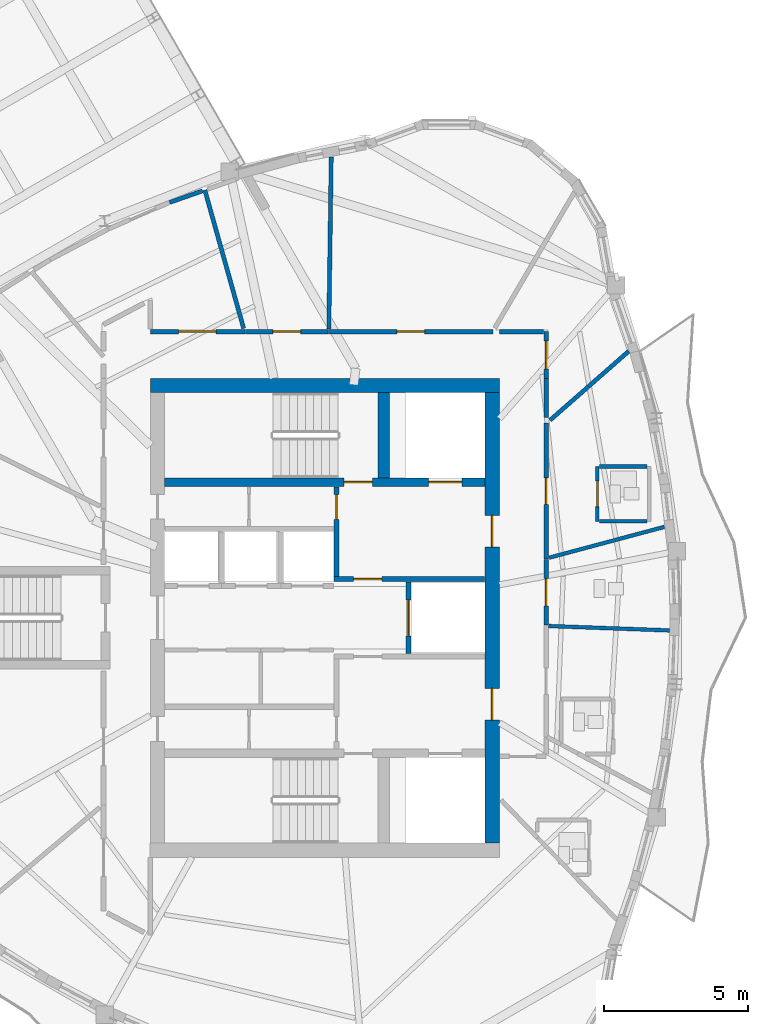
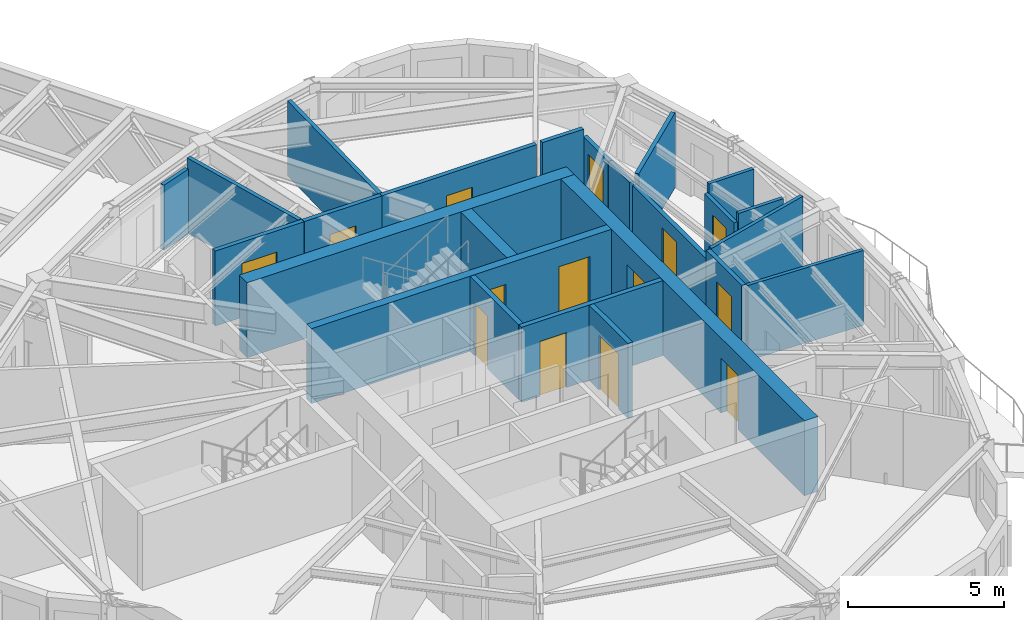
# One storey, part 8 of 14: 24 walls, 14 doors, 14 openings.
"""IFC4 building model written with IfcOpenShell, lengths in metres."""

from ifc_helpers import new_model, si_unit, direction, frame, frame_2d, origin, place, context, subcontext, project, spatial, rectangle, extrude, source, transform, mapped, material, layer, layer_set, type_object, element, fill, save


model = new_model("IFC4")

# Units and contexts
model_context = context("Model", 3, precision=1e-05, world=origin(), true_north=direction((0.0, 1.0)))
body_context = subcontext(model_context, "Body", "Model", "MODEL_VIEW")
ifc_project = project(units=[si_unit("LENGTHUNIT", "METRE"), si_unit("AREAUNIT", "SQUARE_METRE"), si_unit("VOLUMEUNIT", "CUBIC_METRE"), si_unit("PLANEANGLEUNIT", "RADIAN"), si_unit("MASSUNIT", "GRAM", prefix="KILO")], contexts=[model_context])

# Site, building, storey
site_placement = place(None, origin())
site = spatial("IfcSite", under=ifc_project, at=site_placement, CompositionType="ELEMENT")
building_placement = place(site_placement, origin())
building = spatial("IfcBuilding", under=site, at=building_placement, Name="Qafzar Sky-Pleat Residences", CompositionType="ELEMENT")
storey_placement = place(building_placement, frame((0.0, 0.0, 208.39990234375)))
storey = spatial("IfcBuildingStorey", under=building, at=storey_placement, Name="L62", CompositionType="ELEMENT", Elevation=208.39990234375)

# Wall, opening, door
ifc_material_1 = material(Name="Acoustic gypsum plasterboard partition", Category="gypsum")
ifc_layer_1 = layer(ifc_material_1, 0.159912109375)
ifc_layer_set_1 = layer_set([ifc_layer_1], Name="Acoustic gypsum plasterboard partition")
wall_type_1 = type_object("IfcWallType", Name="PART-COR-160", PredefinedType="PARTITIONING", material=ifc_layer_set_1)
wall_1_placement = place(storey_placement, frame((30.47412109375, 35.919921875, 0.0), z_axis=(0.0, 0.0, 1.0), x_axis=(1.0, 0.0, 0.0)))
wall_1 = element("IfcWall", 1, at=wall_1_placement, inside=storey, type_object=wall_type_1, Name="L62 Partition Wall PART-L62-PW-002", PredefinedType="PARTITIONING", context=body_context, shape_type="SweptSolid", body=[
    extrude(rectangle(XDim=5.712890625, YDim=0.159912109375, at=frame_2d((2.8564453125, 0.0))), origin(), (0.0, 0.0, 1.0), 2.93505859375),
])
opening_1_placement = place(wall_1_placement, frame((2.375, 0.0, 0.0)))
opening_1 = element("IfcOpeningElement", 2, at=opening_1_placement, cuts=wall_1, Name="Opening ID-06", PredefinedType="OPENING", context=body_context, shape_type="SweptSolid", body=[
    extrude(rectangle(XDim=0.9599609375, YDim=2.10009765625, at=frame_2d((0.47998046875, 1.050048828125))), frame((0.0, 0.08984375, 0.0), z_axis=(0.0, -1.0, 0.0), x_axis=(1.0, 0.0, 0.0)), (0.0, 0.0, 1.0), 0.179931640625),
])
ifc_material_2 = material(Name="Timber-faced fire door", Category="wood")
door_type_1 = type_object("IfcDoorType", Name="DR-STD-960", OperationType="NOTDEFINED", PredefinedType="DOOR", material=ifc_material_2)
shared_shape_1 = source(origin(), body_context, "Body", "SweptSolid", [
    extrude(rectangle(XDim=0.9599609375, YDim=2.10009765625, at=frame_2d((0.47998046875, 1.050048828125))), frame((0.0, 0.02490234375, 0.0), z_axis=(0.0, -1.0, 0.0), x_axis=(1.0, 0.0, 0.0)), (0.0, 0.0, 1.0), 0.050048828125),
])
door_1_placement = place(opening_1_placement, origin())
door_1 = element("IfcDoor", 3, at=door_1_placement, inside=storey, type_object=door_type_1, Name="L62 Wellness Yoga Studio Door", OperationType="SINGLE_SWING_LEFT", OverallHeight=2.10009765625, OverallWidth=0.9599609375, PredefinedType="DOOR", context=body_context, shape_type="MappedRepresentation", body=[
    mapped(shared_shape_1, transform((0.0, 0.0, 0.0), x_axis=(1.0, 0.0, 0.0), y_axis=(0.0, 1.0, 0.0), z_axis=(0.0, 0.0, 1.0), scale=1.0)),
])
fill(opening_1, door_1)

wall_2_placement = place(storey_placement, frame((38.02001953125, 32.748046875, 0.0), z_axis=(0.0, 0.0, 1.0), x_axis=(0.0, -1.0, 0.0)))
wall_2 = element("IfcWall", 4, at=wall_2_placement, inside=storey, type_object=wall_type_1, Name="L62 Partition Wall PART-L62-PW-003", PredefinedType="PARTITIONING", context=body_context, shape_type="SweptSolid", body=[
    extrude(rectangle(XDim=4.7099609375, YDim=0.159912109375, at=frame_2d((2.35498046875, 0.0))), origin(), (0.0, 0.0, 1.0), 2.60302734375),
])
opening_2_placement = place(wall_2_placement, frame((1.89697265625, 0.0, 0.0)))
opening_2 = element("IfcOpeningElement", 5, at=opening_2_placement, cuts=wall_2, Name="Opening ID-04", PredefinedType="OPENING", context=body_context, shape_type="SweptSolid", body=[
    extrude(rectangle(XDim=0.919921875, YDim=2.10009765625, at=frame_2d((0.4599609375, 1.050048828125))), frame((0.0, 0.08984375, 0.0), z_axis=(0.0, -1.0, 0.0), x_axis=(1.0, 0.0, 0.0)), (0.0, 0.0, 1.0), 0.179931640625),
])
door_type_2 = type_object("IfcDoorType", Name="DR-BED-920", OperationType="NOTDEFINED", PredefinedType="DOOR", material=ifc_material_2)
shared_shape_2 = source(origin(), body_context, "Body", "SweptSolid", [
    extrude(rectangle(XDim=0.919921875, YDim=2.10009765625, at=frame_2d((0.4599609375, 1.050048828125))), frame((0.0, 0.02490234375, 0.0), z_axis=(0.0, -1.0, 0.0), x_axis=(1.0, 0.0, 0.0)), (0.0, 0.0, 1.0), 0.050048828125),
])
door_2_placement = place(opening_2_placement, origin())
door_2 = element("IfcDoor", 6, at=door_2_placement, inside=storey, type_object=door_type_2, Name="L62 Co-Living Bedroom 3 Door", OperationType="SINGLE_SWING_RIGHT", OverallHeight=2.10009765625, OverallWidth=0.919921875, PredefinedType="DOOR", context=body_context, shape_type="MappedRepresentation", body=[
    mapped(shared_shape_2, transform((0.0, 0.0, 0.0), x_axis=(1.0, 0.0, 0.0), y_axis=(0.0, 1.0, 0.0), z_axis=(0.0, 0.0, 1.0), scale=1.0)),
])
fill(opening_2, door_2)

wall_3_placement = place(storey_placement, frame((24.300048828125, 35.919921875, 0.0), z_axis=(0.0, 0.0, 1.0), x_axis=(1.0, 0.0, 0.0)))
wall_3 = element("IfcWall", 7, at=wall_3_placement, inside=storey, type_object=wall_type_1, Name="L62 Partition Wall PART-L62-PW-008", PredefinedType="PARTITIONING", context=body_context, shape_type="SweptSolid", body=[
    extrude(rectangle(XDim=3.282958984375, YDim=0.159912109375, at=frame_2d((1.6416015625, 0.0))), origin(), (0.0, 0.0, 1.0), 2.93505859375),
])
opening_3_placement = place(wall_3_placement, frame((0.98388671875, 0.0, 0.0)))
opening_3 = element("IfcOpeningElement", 8, at=opening_3_placement, cuts=wall_3, Name="Opening ID-05", PredefinedType="OPENING", context=body_context, shape_type="SweptSolid", body=[
    extrude(rectangle(XDim=1.300048828125, YDim=2.10009765625, at=frame_2d((0.64990234375, 1.050048828125))), frame((0.0, 0.08984375, 0.0), z_axis=(0.0, -1.0, 0.0), x_axis=(1.0, 0.0, 0.0)), (0.0, 0.0, 1.0), 0.179931640625),
])
door_type_3 = type_object("IfcDoorType", Name="DR-LNG-1300", OperationType="DOUBLE_DOOR_SINGLE_SWING", PredefinedType="DOOR", material=ifc_material_2)
shared_shape_3 = source(origin(), body_context, "Body", "SweptSolid", [
    extrude(rectangle(XDim=1.300048828125, YDim=2.10009765625, at=frame_2d((0.64990234375, 1.050048828125))), frame((0.0, 0.02490234375, 0.0), z_axis=(0.0, -1.0, 0.0), x_axis=(1.0, 0.0, 0.0)), (0.0, 0.0, 1.0), 0.050048828125),
])
door_3_placement = place(opening_3_placement, origin())
door_3 = element("IfcDoor", 9, at=door_3_placement, inside=storey, type_object=door_type_3, Name="L62 Co-Living Lounge Door", OperationType="DOUBLE_DOOR_SINGLE_SWING", OverallHeight=2.10009765625, OverallWidth=1.300048828125, PredefinedType="DOOR", context=body_context, shape_type="MappedRepresentation", body=[
    mapped(shared_shape_3, transform((0.0, 0.0, 0.0), x_axis=(1.0, 0.0, 0.0), y_axis=(0.0, 1.0, 0.0), z_axis=(0.0, 0.0, 1.0), scale=1.0)),
])
fill(opening_3, door_3)

wall_4_placement = place(storey_placement, frame((27.597900390625, 35.919921875, 0.0), z_axis=(0.0, 0.0, 1.0), x_axis=(1.0, 0.0, 0.0)))
wall_4 = element("IfcWall", 10, at=wall_4_placement, inside=storey, type_object=wall_type_1, Name="L62 Partition Wall PART-L62-PW-009", PredefinedType="PARTITIONING", context=body_context, shape_type="SweptSolid", body=[
    extrude(rectangle(XDim=2.861083984375, YDim=0.159912109375, at=frame_2d((1.4306640625, 0.0))), origin(), (0.0, 0.0, 1.0), 2.93505859375),
])
opening_4_placement = place(wall_4_placement, frame((0.949951171875, 0.0, 0.0)))
opening_4 = element("IfcOpeningElement", 11, at=opening_4_placement, cuts=wall_4, Name="Opening ID-06", PredefinedType="OPENING", context=body_context, shape_type="SweptSolid", body=[
    extrude(rectangle(XDim=0.9599609375, YDim=2.10009765625, at=frame_2d((0.47998046875, 1.050048828125))), frame((0.0, 0.08984375, 0.0), z_axis=(0.0, -1.0, 0.0), x_axis=(1.0, 0.0, 0.0)), (0.0, 0.0, 1.0), 0.179931640625),
])
door_4_placement = place(opening_4_placement, origin())
door_4 = element("IfcDoor", 12, at=door_4_placement, inside=storey, type_object=door_type_1, Name="L62 Quiet Prayer Room Door", OperationType="SINGLE_SWING_LEFT", OverallHeight=2.10009765625, OverallWidth=0.9599609375, PredefinedType="DOOR", context=body_context, shape_type="MappedRepresentation", body=[
    mapped(shared_shape_1, transform((0.0, 0.0, 0.0), x_axis=(1.0, 0.0, 0.0), y_axis=(0.0, 1.0, 0.0), z_axis=(0.0, 0.0, 1.0), scale=1.0)),
])
fill(opening_4, door_4)

wall_5_placement = place(storey_placement, frame((38.02001953125, 28.02294921875, 0.0), z_axis=(0.0, 0.0, 1.0), x_axis=(0.0, -1.0, 0.0)))
wall_5 = element("IfcWall", 13, at=wall_5_placement, inside=storey, type_object=wall_type_1, Name="L62 Partition Wall PART-L62-PW-011", PredefinedType="PARTITIONING", context=body_context, shape_type="SweptSolid", body=[
    extrude(rectangle(XDim=2.27490234375, YDim=0.159912109375, at=frame_2d((1.137451171875, 0.0))), origin(), (0.0, 0.0, 1.0), 2.93505859375),
])
opening_5_placement = place(wall_5_placement, frame((0.662109375, 0.0, 0.0)))
opening_5 = element("IfcOpeningElement", 14, at=opening_5_placement, cuts=wall_5, Name="Opening ID-08", PredefinedType="OPENING", context=body_context, shape_type="SweptSolid", body=[
    extrude(rectangle(XDim=0.949951171875, YDim=2.10009765625, at=frame_2d((0.47509765625, 1.050048828125))), frame((0.0, 0.08984375, 0.0), z_axis=(0.0, -1.0, 0.0), x_axis=(1.0, 0.0, 0.0)), (0.0, 0.0, 1.0), 0.179931640625),
])
door_type_4 = type_object("IfcDoorType", Name="DR-AWC-950", OperationType="NOTDEFINED", PredefinedType="DOOR", material=ifc_material_2)
shared_shape_4 = source(origin(), body_context, "Body", "SweptSolid", [
    extrude(rectangle(XDim=0.949951171875, YDim=2.10009765625, at=frame_2d((0.47509765625, 1.050048828125))), frame((0.0, 0.02490234375, 0.0), z_axis=(0.0, -1.0, 0.0), x_axis=(1.0, 0.0, 0.0)), (0.0, 0.0, 1.0), 0.050048828125),
])
door_5_placement = place(opening_5_placement, origin())
door_5 = element("IfcDoor", 15, at=door_5_placement, inside=storey, type_object=door_type_4, Name="L62 Accessible Shared Washroom Door", OperationType="SINGLE_SWING_LEFT", OverallHeight=2.10009765625, OverallWidth=0.949951171875, PredefinedType="DOOR", context=body_context, shape_type="MappedRepresentation", body=[
    mapped(shared_shape_4, transform((0.0, 0.0, 0.0), x_axis=(1.0, 0.0, 0.0), y_axis=(0.0, 1.0, 0.0), z_axis=(0.0, 0.0, 1.0), scale=1.0)),
])
fill(opening_5, door_5)

wall_6_placement = place(storey_placement, frame((38.02001953125, 35.919921875, 0.0), z_axis=(0.0, 0.0, 1.0), x_axis=(0.0, -1.0, 0.0)))
wall_6 = element("IfcWall", 16, at=wall_6_placement, inside=storey, type_object=wall_type_1, Name="L62 Partition Wall PART-L62-PW-017", PredefinedType="PARTITIONING", context=body_context, shape_type="SweptSolid", body=[
    extrude(rectangle(XDim=1.619873046875, YDim=0.159912109375, at=frame_2d((0.81005859375, 0.0))), origin(), (0.0, 0.0, 1.0), 2.60302734375),
])
opening_6_placement = place(wall_6_placement, frame((0.330078125, 0.0, 0.0)))
opening_6 = element("IfcOpeningElement", 17, at=opening_6_placement, cuts=wall_6, Name="Opening ID-06", PredefinedType="OPENING", context=body_context, shape_type="SweptSolid", body=[
    extrude(rectangle(XDim=0.9599609375, YDim=2.10009765625, at=frame_2d((0.47998046875, 1.050048828125))), frame((0.0, 0.08984375, 0.0), z_axis=(0.0, -1.0, 0.0), x_axis=(1.0, 0.0, 0.0)), (0.0, 0.0, 1.0), 0.179931640625),
])
door_6_placement = place(opening_6_placement, origin())
door_6 = element("IfcDoor", 18, at=door_6_placement, inside=storey, type_object=door_type_1, Name="L62 Communal Kitchen Door", OperationType="SINGLE_SWING_LEFT", OverallHeight=2.10009765625, OverallWidth=0.9599609375, PredefinedType="DOOR", context=body_context, shape_type="MappedRepresentation", body=[
    mapped(shared_shape_1, transform((0.0, 0.0, 0.0), x_axis=(1.0, 0.0, 0.0), y_axis=(0.0, 1.0, 0.0), z_axis=(0.0, 0.0, 1.0), scale=1.0)),
])
fill(opening_6, door_6)

# Walls
wall_7_placement = place(storey_placement, frame((36.39990234375, 35.919921875, 0.0), z_axis=(0.0, 0.0, 1.0), x_axis=(1.0, 0.0, 0.0)))
element("IfcWall", 19, at=wall_7_placement, inside=storey, type_object=wall_type_1, Name="L62 Partition Wall PART-L62-PW-039", PredefinedType="PARTITIONING", context=body_context, shape_type="SweptSolid", body=[
    extrude(rectangle(XDim=1.531982421875, YDim=0.159912109375, at=frame_2d((0.76611328125, 0.0))), origin(), (0.0, 0.0, 1.0), 2.93505859375),
])
wall_8_placement = place(storey_placement, frame((38.02001953125, 32.9375, 0.0), z_axis=(0.0, 0.0, 1.0), x_axis=(0.0, 1.0, 0.0)))
element("IfcWall", 20, at=wall_8_placement, inside=storey, type_object=wall_type_1, Name="L62 Partition Wall PART-L62-PW-043", PredefinedType="PARTITIONING", context=body_context, shape_type="SweptSolid", body=[
    extrude(rectangle(XDim=1.347412109375, YDim=0.159912109375, at=frame_2d((0.673828125, 0.0))), origin(), (0.0, 0.0, 1.0), 2.60302734375),
])

# Wall, opening, door
ifc_material_3 = material(Name="Concrete blockwork partition", Category="masonry")
ifc_layer_2 = layer(ifc_material_3, 0.179931640625)
ifc_layer_set_2 = layer_set([ifc_layer_2], Name="Concrete blockwork partition")
wall_type_2 = type_object("IfcWallType", Name="PART-SHAFT-180", PredefinedType="PARTITIONING", material=ifc_layer_set_2)
wall_9_placement = place(storey_placement, frame((30.75, 27.429931640625, 0.0), z_axis=(0.0, 0.0, 1.0), x_axis=(0.0, 1.0, 0.0)))
wall_9 = element("IfcWall", 21, at=wall_9_placement, inside=storey, type_object=wall_type_2, Name="L62 Partition Wall PART-L62-FFL2-W", PredefinedType="PARTITIONING", context=body_context, shape_type="SweptSolid", body=[
    extrude(rectangle(XDim=3.110107421875, YDim=0.179931640625, at=frame_2d((1.55517578125, 0.0))), origin(), (0.0, 0.0, 1.0), 2.93505859375),
])
opening_7_placement = place(wall_9_placement, frame((1.97998046875, 0.0, 0.0)))
opening_7 = element("IfcOpeningElement", 22, at=opening_7_placement, cuts=wall_9, Name="Opening ID-09", PredefinedType="OPENING", context=body_context, shape_type="SweptSolid", body=[
    extrude(rectangle(XDim=0.860107421875, YDim=2.050048828125, at=frame_2d((0.43017578125, 1.02490234375))), frame((0.0, 0.10009765625, 0.0), z_axis=(0.0, -1.0, 0.0), x_axis=(1.0, 0.0, 0.0)), (0.0, 0.0, 1.0), 0.199951171875),
])
door_type_5 = type_object("IfcDoorType", Name="DR-SVC-860", OperationType="NOTDEFINED", PredefinedType="DOOR", material=ifc_material_2)
shared_shape_5 = source(origin(), body_context, "Body", "SweptSolid", [
    extrude(rectangle(XDim=0.860107421875, YDim=2.050048828125, at=frame_2d((0.43017578125, 1.02490234375))), frame((0.0, 0.02490234375, 0.0), z_axis=(0.0, -1.0, 0.0), x_axis=(1.0, 0.0, 0.0)), (0.0, 0.0, 1.0), 0.050048828125),
])
door_7_placement = place(opening_7_placement, origin())
door_7 = element("IfcDoor", 23, at=door_7_placement, inside=storey, type_object=door_type_5, Name="L62 North Core Cupboard Door", OperationType="SINGLE_SWING_LEFT", OverallHeight=2.050048828125, OverallWidth=0.860107421875, PredefinedType="DOOR", context=body_context, shape_type="MappedRepresentation", body=[
    mapped(shared_shape_5, transform((0.0, 0.0, 0.0), x_axis=(1.0, 0.0, 0.0), y_axis=(0.0, 1.0, 0.0), z_axis=(0.0, 0.0, 1.0), scale=1.0)),
])
fill(opening_7, door_7)

wall_10_placement = place(storey_placement, frame((30.669921875, 27.340087890625, 0.0), z_axis=(0.0, 0.0, 1.0), x_axis=(1.0, 0.0, 0.0)))
wall_10 = element("IfcWall", 24, at=wall_10_placement, inside=storey, type_object=wall_type_2, Name="L62 Partition Wall PART-L62-FFL2-S", PredefinedType="PARTITIONING", context=body_context, shape_type="SweptSolid", body=[
    extrude(rectangle(XDim=5.219970703125, YDim=0.179931640625, at=frame_2d((2.60986328125, 0.0))), origin(), (0.0, 0.0, 1.0), 2.93505859375),
])
opening_8_placement = place(wall_10_placement, frame((0.679931640625, 0.0, 0.0)))
opening_8 = element("IfcOpeningElement", 25, at=opening_8_placement, cuts=wall_10, Name="Opening ID-01", PredefinedType="OPENING", context=body_context, shape_type="SweptSolid", body=[
    extrude(rectangle(XDim=0.97998046875, YDim=2.14990234375, at=frame_2d((0.489990234375, 1.074951171875))), frame((0.0, 0.10009765625, 0.0), z_axis=(0.0, -1.0, 0.0), x_axis=(1.0, 0.0, 0.0)), (0.0, 0.0, 1.0), 0.199951171875),
])
door_type_6 = type_object("IfcDoorType", Name="DR-STAIR-980", OperationType="NOTDEFINED", PredefinedType="DOOR", material=ifc_material_2)
shared_shape_6 = source(origin(), body_context, "Body", "SweptSolid", [
    extrude(rectangle(XDim=0.97998046875, YDim=2.14990234375, at=frame_2d((0.489990234375, 1.074951171875))), frame((0.0, 0.02490234375, 0.0), z_axis=(0.0, -1.0, 0.0), x_axis=(1.0, 0.0, 0.0)), (0.0, 0.0, 1.0), 0.050048828125),
])
door_8_placement = place(opening_8_placement, origin())
door_8 = element("IfcDoor", 26, at=door_8_placement, inside=storey, type_object=door_type_6, Name="L62 Lift Lobby to North Firefighting Lobby Door", OperationType="SINGLE_SWING_RIGHT", OverallHeight=2.14990234375, OverallWidth=0.97998046875, PredefinedType="DOOR", context=body_context, shape_type="MappedRepresentation", body=[
    mapped(shared_shape_6, transform((0.0, 0.0, 0.0), x_axis=(1.0, 0.0, 0.0), y_axis=(0.0, 1.0, 0.0), z_axis=(0.0, 0.0, 1.0), scale=1.0)),
])
fill(opening_8, door_8)

wall_11_placement = place(storey_placement, frame((33.25, 24.760009765625, 0.0), z_axis=(0.0, 0.0, 1.0), x_axis=(0.0, 1.0, 0.0)))
wall_11 = element("IfcWall", 27, at=wall_11_placement, inside=storey, type_object=wall_type_2, Name="L62 Partition Wall PART-L62-SV1-W", PredefinedType="PARTITIONING", context=body_context, shape_type="SweptSolid", body=[
    extrude(rectangle(XDim=2.47998046875, YDim=0.179931640625, at=frame_2d((1.239990234375, 0.0))), origin(), (0.0, 0.0, 1.0), 2.93505859375),
])
opening_9_placement = place(wall_11_placement, frame((0.614990234375, 0.0, 0.0)))
opening_9 = element("IfcOpeningElement", 28, at=opening_9_placement, cuts=wall_11, Name="Opening LD-03", PredefinedType="OPENING", context=body_context, shape_type="SweptSolid", body=[
    extrude(rectangle(XDim=1.25, YDim=2.14990234375, at=frame_2d((0.625, 1.074951171875))), frame((0.0, 0.10009765625, 0.0), z_axis=(0.0, -1.0, 0.0), x_axis=(1.0, 0.0, 0.0)), (0.0, 0.0, 1.0), 0.199951171875),
])
ifc_material_4 = material(Name="Stainless steel sliding landing door", Category="steel")
door_type_7 = type_object("IfcDoorType", Name="DR-LIFT-SV", OperationType="DOUBLE_DOOR_SLIDING", PredefinedType="DOOR", material=ifc_material_4)
shared_shape_7 = source(origin(), body_context, "Body", "SweptSolid", [
    extrude(rectangle(XDim=1.25, YDim=2.14990234375, at=frame_2d((0.625, 1.074951171875))), frame((0.0, 0.02490234375, 0.0), z_axis=(0.0, -1.0, 0.0), x_axis=(1.0, 0.0, 0.0)), (0.0, 0.0, 1.0), 0.050048828125),
])
door_9_placement = place(opening_9_placement, origin())
door_9 = element("IfcDoor", 29, at=door_9_placement, inside=storey, type_object=door_type_7, Name="L62 Service Lift SV1 Landing Door", OperationType="DOUBLE_DOOR_SLIDING", OverallHeight=2.14990234375, OverallWidth=1.25, PredefinedType="DOOR", context=body_context, shape_type="MappedRepresentation", body=[
    mapped(shared_shape_7, transform((0.0, 0.0, 0.0), x_axis=(1.0, 0.0, 0.0), y_axis=(0.0, 1.0, 0.0), z_axis=(0.0, 0.0, 1.0), scale=1.0)),
])
fill(opening_9, door_9)

# Walls
ifc_layer_3 = layer(ifc_material_1, 0.14501953125)
ifc_layer_set_3 = layer_set([ifc_layer_3], Name="Acoustic gypsum plasterboard partition")
wall_type_3 = type_object("IfcWallType", Name="PART-UNIT-145", PredefinedType="PARTITIONING", material=ifc_layer_set_3)
wall_12_placement = place(storey_placement, frame((30.4892578125, 36.009033203125, 0.0), z_axis=(0.0, 0.0, 1.0), x_axis=(0.013978627514, 0.999902294213, 0.0)))
element("IfcWall", 30, at=wall_12_placement, inside=storey, type_object=wall_type_3, Name="L62 Partition Wall PART-L62-PW-020", PredefinedType="PARTITIONING", context=body_context, shape_type="SweptSolid", body=[
    extrude(rectangle(XDim=5.95556640625, YDim=0.14501953125, at=frame_2d((2.977783203125, 0.0))), origin(), (0.0, 0.0, 1.0), 2.93505859375),
])
wall_13_placement = place(storey_placement, frame((26.19189453125, 40.822998046875, 0.0), z_axis=(0.0, 0.0, 1.0), x_axis=(0.270218926069, -0.962798905273, 0.0)))
element("IfcWall", 31, at=wall_13_placement, inside=storey, type_object=wall_type_3, Name="L62 Partition Wall PART-L62-PW-023", PredefinedType="PARTITIONING", context=body_context, shape_type="SweptSolid", body=[
    extrude(rectangle(XDim=4.98095703125, YDim=0.14501953125, at=frame_2d((2.490478515625, 0.0))), origin(), (0.0, 0.0, 1.0), 2.93505859375),
])
wall_14_placement = place(storey_placement, frame((38.15380859375, 32.845458984375, 0.0), z_axis=(0.0, 0.0, 1.0), x_axis=(0.751793032372, 0.659399148071, 0.0)))
element("IfcWall", 32, at=wall_14_placement, inside=storey, type_object=wall_type_3, Name="L62 Partition Wall PART-L62-PW-027", PredefinedType="PARTITIONING", context=body_context, shape_type="SweptSolid", body=[
    extrude(rectangle(XDim=3.630615234375, YDim=0.14501953125, at=frame_2d((1.8154296875, 0.0))), origin(), (0.0, 0.0, 1.0), 2.93505859375),
])
wall_15_placement = place(storey_placement, frame((24.97314453125, 40.39697265625, 0.0), z_axis=(0.0, 0.0, 1.0), x_axis=(0.943987684609, 0.329980683232, 0.0)))
element("IfcWall", 33, at=wall_15_placement, inside=storey, type_object=wall_type_3, Name="L62 Partition Wall PART-L62-PW-045", PredefinedType="PARTITIONING", context=body_context, shape_type="SweptSolid", body=[
    extrude(rectangle(XDim=1.2060546875, YDim=0.14501953125, at=frame_2d((0.60302734375, 0.0))), origin(), (0.0, 0.0, 1.0), 2.543212890625),
])

# Wall, opening, door
ifc_material_5 = material(Name="Moisture-resistant gypsum partition", Category="gypsum")
ifc_layer_4 = layer(ifc_material_5, 0.1298828125)
ifc_layer_set_4 = layer_set([ifc_layer_4], Name="Moisture-resistant gypsum partition")
wall_type_4 = type_object("IfcWallType", Name="PART-WET-130", PredefinedType="PARTITIONING", material=ifc_layer_set_4)
wall_16_placement = place(storey_placement, frame((39.794921875, 31.243896484375, 0.0), z_axis=(0.0, 0.0, 1.0), x_axis=(0.0, -1.0, 0.0)))
wall_16 = element("IfcWall", 34, at=wall_16_placement, inside=storey, type_object=wall_type_4, Name="L62 Partition Wall PART-L62-PW-015", PredefinedType="PARTITIONING", context=body_context, shape_type="SweptSolid", body=[
    extrude(rectangle(XDim=1.89990234375, YDim=0.1298828125, at=frame_2d((0.949951171875, 0.0))), origin(), (0.0, 0.0, 1.0), 2.572998046875),
])
opening_10_placement = place(wall_16_placement, frame((0.510009765625, 0.0, 0.0)))
opening_10 = element("IfcOpeningElement", 35, at=opening_10_placement, cuts=wall_16, Name="Opening ID-07", PredefinedType="OPENING", context=body_context, shape_type="SweptSolid", body=[
    extrude(rectangle(XDim=0.8798828125, YDim=2.050048828125, at=frame_2d((0.43994140625, 1.02490234375))), frame((0.0, 0.074951171875, 0.0), z_axis=(0.0, -1.0, 0.0), x_axis=(1.0, 0.0, 0.0)), (0.0, 0.0, 1.0), 0.14990234375),
])
door_type_8 = type_object("IfcDoorType", Name="DR-WET-880", OperationType="NOTDEFINED", PredefinedType="DOOR", material=ifc_material_2)
shared_shape_8 = source(origin(), body_context, "Body", "SweptSolid", [
    extrude(rectangle(XDim=0.8798828125, YDim=2.050048828125, at=frame_2d((0.43994140625, 1.02490234375))), frame((0.0, 0.02490234375, 0.0), z_axis=(0.0, -1.0, 0.0), x_axis=(1.0, 0.0, 0.0)), (0.0, 0.0, 1.0), 0.050048828125),
])
door_10_placement = place(opening_10_placement, origin())
door_10 = element("IfcDoor", 36, at=door_10_placement, inside=storey, type_object=door_type_8, Name="L62 En-suite Bathroom 3 Door", OperationType="SINGLE_SWING_LEFT", OverallHeight=2.050048828125, OverallWidth=0.8798828125, PredefinedType="DOOR", context=body_context, shape_type="MappedRepresentation", body=[
    mapped(shared_shape_8, transform((0.0, 0.0, 0.0), x_axis=(1.0, 0.0, 0.0), y_axis=(0.0, 1.0, 0.0), z_axis=(0.0, 0.0, 1.0), scale=1.0)),
])
fill(opening_10, door_10)

# Walls
wall_17_placement = place(storey_placement, frame((38.1103515625, 25.714599609375, 0.0), z_axis=(0.0, 0.0, 1.0), x_axis=(0.99933433165, -0.036481414253, 0.0)))
element("IfcWall", 37, at=wall_17_placement, inside=storey, type_object=wall_type_4, Name="L62 Partition Wall PART-L62-PW-024", PredefinedType="PARTITIONING", context=body_context, shape_type="SweptSolid", body=[
    extrude(rectangle(XDim=4.189208984375, YDim=0.1298828125, at=frame_2d((2.0947265625, 0.0))), origin(), (0.0, 0.0, 1.0), 2.93505859375),
])
wall_18_placement = place(storey_placement, frame((38.12451171875, 28.08203125, 0.0), z_axis=(0.0, 0.0, 1.0), x_axis=(0.965997321458, 0.258552073934, 0.0)))
element("IfcWall", 38, at=wall_18_placement, inside=storey, type_object=wall_type_4, Name="L62 Partition Wall PART-L62-PW-025", PredefinedType="PARTITIONING", context=body_context, shape_type="SweptSolid", body=[
    extrude(rectangle(XDim=4.134033203125, YDim=0.1298828125, at=frame_2d((2.06689453125, 0.0))), origin(), (0.0, 0.0, 1.0), 2.93505859375),
])
for number, where, z_axis, x_axis, name in (
    (39, (39.867919921875, 31.243896484375, 0.0), (0.0, 0.0, 1.0), (1.0, 0.0, 0.0), "L62 Partition Wall PART-L62-PW-036"),
    (40, (39.867919921875, 29.343994140625, 0.0), (0.0, 0.0, 1.0), (1.0, 0.0, 0.0), "L62 Partition Wall PART-L62-PW-037"),
):
    element("IfcWall", number, at=place(storey_placement, frame(where, z_axis=z_axis, x_axis=x_axis)), inside=storey, type_object=wall_type_4, Name=name, PredefinedType="PARTITIONING", context=body_context, shape_type="SweptSolid", body=[
        extrude(rectangle(XDim=1.654052734375, YDim=0.1298828125, at=frame_2d((0.8271484375, 0.0))), origin(), (0.0, 0.0, 1.0), 2.93505859375),
    ])

# Wall, openings, doors
ifc_material_6 = material(Name="Concrete C60/75", Category="concrete")
ifc_layer_5 = layer(ifc_material_6, 0.300048828125)
ifc_layer_set_5 = layer_set([ifc_layer_5], Name="Concrete C60/75")
wall_type_5 = type_object("IfcWallType", Name="WALL-SHEAR-300", PredefinedType="SHEAR", material=ifc_layer_set_5)
wall_19_placement = place(storey_placement, frame((24.800048828125, 30.699951171875, 0.0), z_axis=(0.0, 0.0, 1.0), x_axis=(1.0, 0.0, 0.0)))
wall_19 = element("IfcWall", 41, at=wall_19_placement, inside=storey, type_object=wall_type_5, Name="L62 Stair ST2 and FF2 Shaft South Wall", PredefinedType="SHEAR", context=body_context, shape_type="SweptSolid", body=[
    extrude(rectangle(XDim=11.099853515625, YDim=0.300048828125, at=frame_2d((5.5498046875, 0.0))), origin(), (0.0, 0.0, 1.0), 2.93505859375),
])
opening_11_placement = place(wall_19_placement, frame((6.219970703125, 0.0, 0.0)))
opening_11 = element("IfcOpeningElement", 42, at=opening_11_placement, cuts=wall_19, Name="Opening ID-01", PredefinedType="OPENING", context=body_context, shape_type="SweptSolid", body=[
    extrude(rectangle(XDim=0.97998046875, YDim=2.14990234375, at=frame_2d((0.489990234375, 1.074951171875))), frame((0.0, 0.16015625, 0.0), z_axis=(0.0, -1.0, 0.0), x_axis=(1.0, 0.0, 0.0)), (0.0, 0.0, 1.0), 0.320068359375),
])
opening_12_placement = place(wall_19_placement, frame((9.14990234375, 0.0, 0.0)))
opening_12 = element("IfcOpeningElement", 43, at=opening_12_placement, cuts=wall_19, Name="Opening LD-02", PredefinedType="OPENING", context=body_context, shape_type="SweptSolid", body=[
    extrude(rectangle(XDim=1.14990234375, YDim=2.14990234375, at=frame_2d((0.574951171875, 1.074951171875))), frame((0.0, 0.16015625, 0.0), z_axis=(0.0, -1.0, 0.0), x_axis=(1.0, 0.0, 0.0)), (0.0, 0.0, 1.0), 0.320068359375),
])
door_11_placement = place(opening_11_placement, origin())
door_11 = element("IfcDoor", 44, at=door_11_placement, inside=storey, type_object=door_type_6, Name="L62 Stair ST2 Fire Door", OperationType="SINGLE_SWING_LEFT", OverallHeight=2.14990234375, OverallWidth=0.97998046875, PredefinedType="DOOR", context=body_context, shape_type="MappedRepresentation", body=[
    mapped(shared_shape_6, transform((0.0, 0.0, 0.0), x_axis=(1.0, 0.0, 0.0), y_axis=(0.0, 1.0, 0.0), z_axis=(0.0, 0.0, 1.0), scale=1.0)),
])
fill(opening_11, door_11)
door_type_9 = type_object("IfcDoorType", Name="DR-LIFT-FF", OperationType="DOUBLE_DOOR_SLIDING", PredefinedType="DOOR", material=ifc_material_4)
shared_shape_9 = source(origin(), body_context, "Body", "SweptSolid", [
    extrude(rectangle(XDim=1.14990234375, YDim=2.14990234375, at=frame_2d((0.574951171875, 1.074951171875))), frame((0.0, 0.02490234375, 0.0), z_axis=(0.0, -1.0, 0.0), x_axis=(1.0, 0.0, 0.0)), (0.0, 0.0, 1.0), 0.050048828125),
])
door_12_placement = place(opening_12_placement, origin())
door_12 = element("IfcDoor", 45, at=door_12_placement, inside=storey, type_object=door_type_9, Name="L62 Firefighting Lift FF2 Landing Door", OperationType="DOUBLE_DOOR_SLIDING", OverallHeight=2.14990234375, OverallWidth=1.14990234375, PredefinedType="DOOR", context=body_context, shape_type="MappedRepresentation", body=[
    mapped(shared_shape_9, transform((0.0, 0.0, 0.0), x_axis=(1.0, 0.0, 0.0), y_axis=(0.0, 1.0, 0.0), z_axis=(0.0, 0.0, 1.0), scale=1.0)),
])
fill(opening_12, door_12)

# Walls
ifc_layer_6 = layer(ifc_material_6, 0.39990234375)
ifc_layer_set_6 = layer_set([ifc_layer_6], Name="Concrete C60/75")
wall_type_6 = type_object("IfcWallType", Name="WALL-SHEAR-400", PredefinedType="SHEAR", material=ifc_layer_set_6)
wall_20_placement = place(storey_placement, frame((32.39990234375, 30.85009765625, 0.0), z_axis=(0.0, 0.0, 1.0), x_axis=(0.0, 1.0, 0.0)))
element("IfcWall", 46, at=wall_20_placement, inside=storey, type_object=wall_type_6, Name="L62 Stair ST2 East Dividing Wall", PredefinedType="SHEAR", context=body_context, shape_type="SweptSolid", body=[
    extrude(rectangle(XDim=2.949951171875, YDim=0.39990234375, at=frame_2d((1.47509765625, 0.0))), origin(), (0.0, 0.0, 1.0), 2.93505859375),
])
ifc_layer_7 = layer(ifc_material_6, 0.5)
ifc_layer_set_7 = layer_set([ifc_layer_7], Name="Concrete C60/75")
wall_type_7 = type_object("IfcWallType", Name="WALL-SHEAR-500", PredefinedType="SHEAR", material=ifc_layer_set_7)
wall_21_placement = place(storey_placement, frame((36.39990234375, 34.050048828125, 0.0), z_axis=(0.0, 0.0, 1.0), x_axis=(-1.0, 0.0, 0.0)))
element("IfcWall", 47, at=wall_21_placement, inside=storey, type_object=wall_type_7, Name="L62 CORE wall N", PredefinedType="SHEAR", context=body_context, shape_type="SweptSolid", body=[
    extrude(rectangle(XDim=12.099853515625, YDim=0.5, at=frame_2d((6.0498046875, 0.0))), origin(), (0.0, 0.0, 1.0), 2.93505859375),
])

# Wall, openings, doors
wall_22_placement = place(storey_placement, frame((36.14990234375, 18.199951171875, 0.0), z_axis=(0.0, 0.0, 1.0), x_axis=(0.0, 1.0, 0.0)))
wall_22 = element("IfcWall", 48, at=wall_22_placement, inside=storey, type_object=wall_type_7, Name="L62 CORE wall E", PredefinedType="SHEAR", context=body_context, shape_type="SweptSolid", body=[
    extrude(rectangle(XDim=15.60009765625, YDim=0.5, at=frame_2d((7.800048828125, 0.0))), origin(), (0.0, 0.0, 1.0), 2.93505859375),
])
opening_13_placement = place(wall_22_placement, frame((4.25, 0.0, 0.0)))
opening_13 = element("IfcOpeningElement", 49, at=opening_13_placement, cuts=wall_22, Name="Opening ID-02", PredefinedType="OPENING", context=body_context, shape_type="SweptSolid", body=[
    extrude(rectangle(XDim=1.10009765625, YDim=2.14990234375, at=frame_2d((0.550048828125, 1.074951171875))), frame((0.0, 0.260009765625, 0.0), z_axis=(0.0, -1.0, 0.0), x_axis=(1.0, 0.0, 0.0)), (0.0, 0.0, 1.0), 0.52001953125),
])
opening_14_placement = place(wall_22_placement, frame((10.25, 0.0, 0.0)))
opening_14 = element("IfcOpeningElement", 50, at=opening_14_placement, cuts=wall_22, Name="Opening ID-02", PredefinedType="OPENING", context=body_context, shape_type="SweptSolid", body=[
    extrude(rectangle(XDim=1.10009765625, YDim=2.14990234375, at=frame_2d((0.550048828125, 1.074951171875))), frame((0.0, 0.260009765625, 0.0), z_axis=(0.0, -1.0, 0.0), x_axis=(1.0, 0.0, 0.0)), (0.0, 0.0, 1.0), 0.52001953125),
])
door_type_10 = type_object("IfcDoorType", Name="DR-FFL-1100", OperationType="NOTDEFINED", PredefinedType="DOOR", material=ifc_material_2)
shared_shape_10 = source(origin(), body_context, "Body", "SweptSolid", [
    extrude(rectangle(XDim=1.10009765625, YDim=2.14990234375, at=frame_2d((0.550048828125, 1.074951171875))), frame((0.0, 0.02490234375, 0.0), z_axis=(0.0, -1.0, 0.0), x_axis=(1.0, 0.0, 0.0)), (0.0, 0.0, 1.0), 0.050048828125),
])
door_13_placement = place(opening_13_placement, origin())
door_13 = element("IfcDoor", 51, at=door_13_placement, inside=storey, type_object=door_type_10, Name="L62 Firefighting Lobby South Corridor Door", OperationType="SINGLE_SWING_LEFT", OverallHeight=2.14990234375, OverallWidth=1.10009765625, PredefinedType="DOOR", context=body_context, shape_type="MappedRepresentation", body=[
    mapped(shared_shape_10, transform((0.0, 0.0, 0.0), x_axis=(1.0, 0.0, 0.0), y_axis=(0.0, 1.0, 0.0), z_axis=(0.0, 0.0, 1.0), scale=1.0)),
])
fill(opening_13, door_13)
door_14_placement = place(opening_14_placement, origin())
door_14 = element("IfcDoor", 52, at=door_14_placement, inside=storey, type_object=door_type_10, Name="L62 Firefighting Lobby North Corridor Door", OperationType="SINGLE_SWING_RIGHT", OverallHeight=2.14990234375, OverallWidth=1.10009765625, PredefinedType="DOOR", context=body_context, shape_type="MappedRepresentation", body=[
    mapped(shared_shape_10, transform((0.0, 0.0, 0.0), x_axis=(1.0, 0.0, 0.0), y_axis=(0.0, 1.0, 0.0), z_axis=(0.0, 0.0, 1.0), scale=1.0)),
])
fill(opening_14, door_14)

save(model, "model.ifc")
